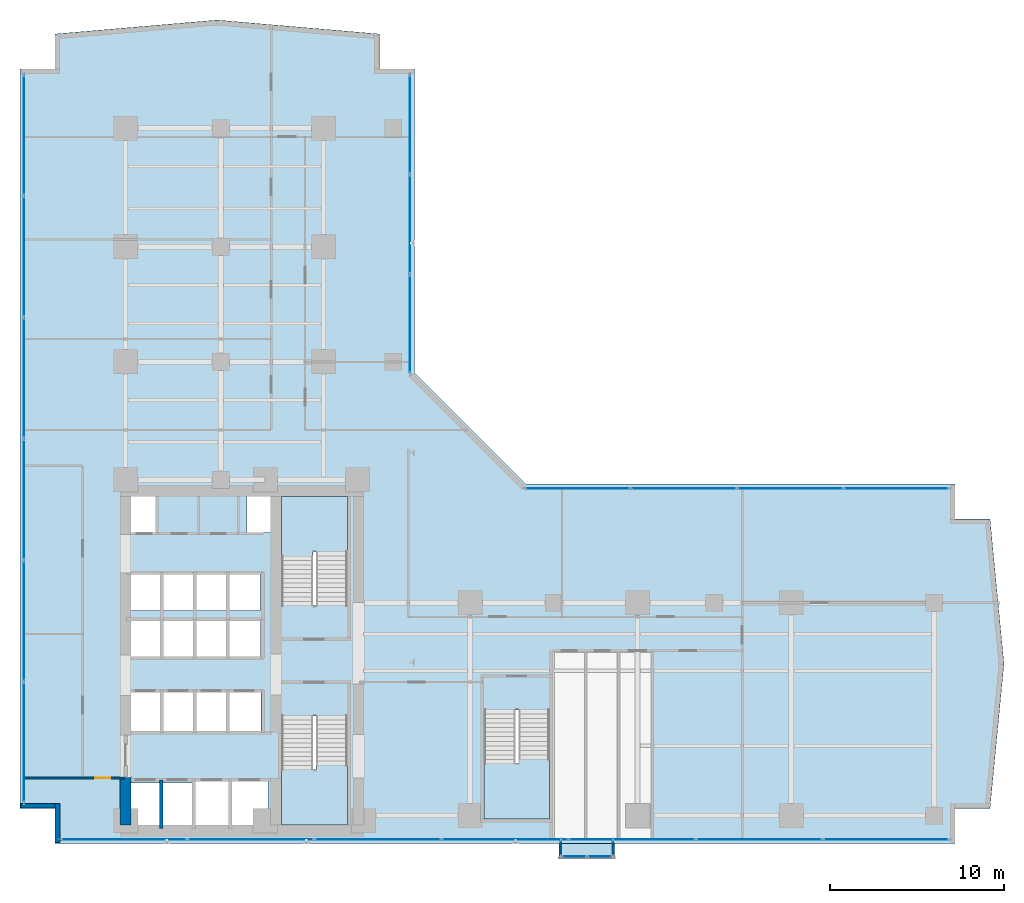
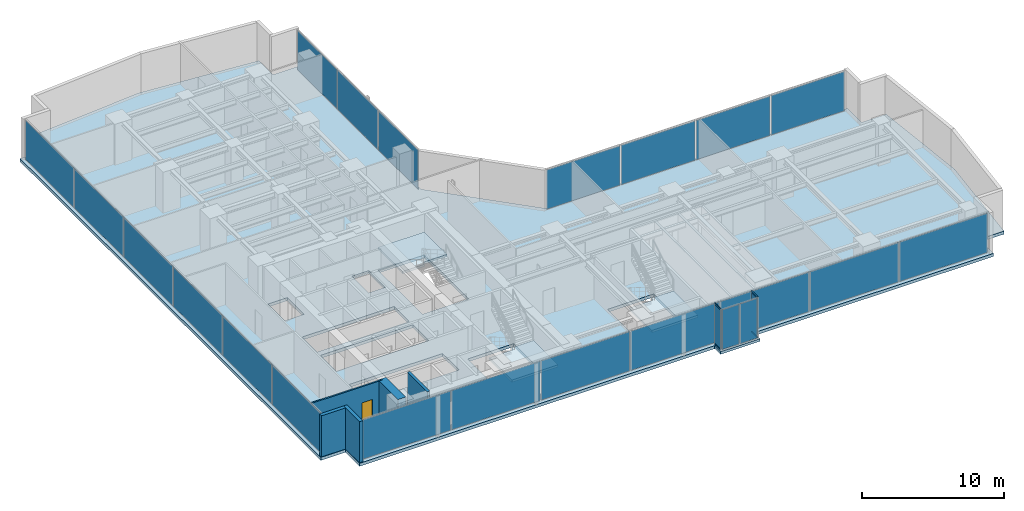
# One storey, part 20 of 26: 24 plates, 5 slabs, 5 walls, 4 members, 1 door, 1 opening, 10 elements without a shape of their own.
"""IFC4 building model written with IfcOpenShell, lengths in metres."""

import ifcopenshell
import ifcopenshell.guid

model = None  # the IFC model being written
_history = None  # IfcOwnerHistory: only IFC2X3 demands one
_inside = {}  # id of a spatial element -> (the spatial element, [elements in it])
_under = {}  # id of a project, library or spatial element -> (it, [spatial elements below it])
_declared = {}  # id of a project -> (the project, [libraries it declares])
_typed = {}  # id of a type object -> (the type object, [elements of that type])
_made_of = {}  # id of a material, layer set ... -> (it, [elements and type objects made of it])


def new_model(schema):
    """Start an empty IFC model of exactly this schema.

    Asked for "IFC4X3", IfcOpenShell would pick the latest addendum, in which some entities
    have other attributes; the version numbers below select the first issue.
    IFC2X3 requires an IfcOwnerHistory on every rooted entity: one is made here for all.
    """
    global model, _history
    if schema == "IFC4X3":
        model = ifcopenshell.file(schema_version=(4, 3, 0, 0))
    else:
        model = ifcopenshell.file(schema=schema)
    _inside.clear()
    _under.clear()
    _declared.clear()
    _typed.clear()
    _made_of.clear()
    _history = None
    if model.schema == "IFC2X3":
        org = make("IfcOrganization", Name="unknown")
        user = make(
            "IfcPersonAndOrganization",
            ThePerson=make("IfcPerson", FamilyName="unknown"),
            TheOrganization=org,
        )
        app = make(
            "IfcApplication",
            ApplicationDeveloper=org,
            Version="unknown",
            ApplicationFullName="unknown",
            ApplicationIdentifier="unknown",
        )
        _history = make(
            "IfcOwnerHistory",
            OwningUser=user,
            OwningApplication=app,
            ChangeAction="ADDED",
            CreationDate=0,
        )
    return model


def make(cls, **values):
    """One entity of the class cls with the attributes given. An attribute that is None is left unset."""
    return model.create_entity(
        cls, **{name: value for name, value in values.items() if value is not None}
    )


def rooted(cls, **values):
    """An entity with a GlobalId (a new one), such as an element, a storey or a relation."""
    return make(cls, GlobalId=ifcopenshell.guid.new(), OwnerHistory=_history, **values)


def si_unit(unit_type, name, prefix=None):
    """IfcSIUnit, for example si_unit("LENGTHUNIT", "METRE", prefix="MILLI")."""
    return make("IfcSIUnit", UnitType=unit_type, Prefix=prefix, Name=name)


def assignment(units):
    """IfcUnitAssignment: the units of a project."""
    return None if units is None else make("IfcUnitAssignment", Units=units)


def point(xyz):
    """IfcCartesianPoint."""
    return None if xyz is None else make("IfcCartesianPoint", Coordinates=xyz)


def direction(xyz):
    """IfcDirection."""
    return None if xyz is None else make("IfcDirection", DirectionRatios=xyz)


def frame(location, z_axis=None, x_axis=None):
    """IfcAxis2Placement3D, a coordinate frame: its origin and axes. An axis left out is left unset."""
    return make(
        "IfcAxis2Placement3D",
        Location=point(location),
        Axis=direction(z_axis),
        RefDirection=direction(x_axis),
    )


def frame_2d(location, x_axis=None):
    """IfcAxis2Placement2D, a coordinate frame in the plane: its origin and x axis."""
    return make(
        "IfcAxis2Placement2D", Location=point(location), RefDirection=direction(x_axis)
    )


def origin():
    """The frame at (0, 0, 0) with its axes left unset."""
    return frame((0.0, 0.0, 0.0))


def origin_with_axes():
    """The frame at (0, 0, 0) with the z axis (0, 0, 1) and the x axis (1, 0, 0) written out."""
    return frame((0.0, 0.0, 0.0), z_axis=(0.0, 0.0, 1.0), x_axis=(1.0, 0.0, 0.0))


def origin_2d():
    """The frame at (0, 0) in the plane with its x axis left unset."""
    return frame_2d((0.0, 0.0))


def place(relative_to, where):
    """IfcLocalPlacement: puts the frame where relative to a parent placement (None: the world)."""
    return make(
        "IfcLocalPlacement", PlacementRelTo=relative_to, RelativePlacement=where
    )


def context(
    kind, dimensions, precision=None, world=None, true_north=None, identifier=None
):
    """IfcGeometricRepresentationContext, for example the 3D "Model" context."""
    return make(
        "IfcGeometricRepresentationContext",
        ContextIdentifier=identifier,
        ContextType=kind,
        CoordinateSpaceDimension=dimensions,
        Precision=precision,
        WorldCoordinateSystem=world,
        TrueNorth=true_north,
    )


def subcontext(parent, identifier, kind, view, scale=None):
    """IfcGeometricRepresentationSubContext, for example "Body" below "Model"."""
    return make(
        "IfcGeometricRepresentationSubContext",
        ContextIdentifier=identifier,
        ContextType=kind,
        ParentContext=parent,
        TargetScale=scale,
        TargetView=view,
    )


def project(units=None, contexts=None):
    """IfcProject with its units and contexts."""
    return rooted(
        "IfcProject",
        Name="project",
        RepresentationContexts=contexts,
        UnitsInContext=assignment(units),
    )


def spatial(cls, under=None, at=None, **own):
    """A site, building, storey or space (cls), placed at a placement, below another one or the project."""
    s = rooted(cls, ObjectPlacement=at, **own)
    if under is not None:
        _under.setdefault(under.id(), (under, []))[1].append(s)
    return s


def polyline(points):
    """IfcPolyline through the points."""
    return make("IfcPolyline", Points=[point(p) for p in points])


def profile(cls, at=None, kind="AREA", **sizes):
    """A parametric profile (cls). Its sizes go by their IFC names, for example OverallWidth=200.0."""
    return make(cls, ProfileType=kind, Position=at, **sizes)


def rectangle(**sizes):
    """IfcRectangleProfileDef."""
    return profile("IfcRectangleProfileDef", **sizes)


def hollow_rectangle(**sizes):
    """IfcRectangleHollowProfileDef."""
    return profile("IfcRectangleHollowProfileDef", **sizes)


def outline(outer, holes=None, kind="AREA"):
    """IfcArbitraryClosedProfileDef: a profile drawn as a closed curve; with holes, ...WithVoids."""
    if holes is None:
        return make("IfcArbitraryClosedProfileDef", ProfileType=kind, OuterCurve=outer)
    return make(
        "IfcArbitraryProfileDefWithVoids",
        ProfileType=kind,
        OuterCurve=outer,
        InnerCurves=holes,
    )


def extrude(swept, where, along, depth):
    """IfcExtrudedAreaSolid: the profile swept, set in the frame where, extruded along a direction by depth."""
    return make(
        "IfcExtrudedAreaSolid",
        SweptArea=swept,
        Position=where,
        ExtrudedDirection=direction(along),
        Depth=depth,
    )


def shape(context_of_items, identifier, shape_type, items):
    """IfcShapeRepresentation: the items that make up one representation, for example the "Body"."""
    return make(
        "IfcShapeRepresentation",
        ContextOfItems=context_of_items,
        RepresentationIdentifier=identifier,
        RepresentationType=shape_type,
        Items=items,
    )


def source(mapping_origin, context_of_items, identifier, shape_type, items):
    """IfcRepresentationMap: a shape defined once, which mapped items show again and again."""
    return make(
        "IfcRepresentationMap",
        MappingOrigin=mapping_origin,
        MappedRepresentation=shape(context_of_items, identifier, shape_type, items),
    )


def transform(
    local_origin,
    x_axis=None,
    y_axis=None,
    z_axis=None,
    scale=None,
    scale2=None,
    scale3=None,
    uniform=True,
):
    """IfcCartesianTransformationOperator3D, or its non-uniform kind. x_axis, y_axis, z_axis: its Axis1, 2, 3."""
    if uniform:
        return make(
            "IfcCartesianTransformationOperator3D",
            Axis1=direction(x_axis),
            Axis2=direction(y_axis),
            LocalOrigin=point(local_origin),
            Scale=scale,
            Axis3=direction(z_axis),
        )
    return make(
        "IfcCartesianTransformationOperator3DnonUniform",
        Axis1=direction(x_axis),
        Axis2=direction(y_axis),
        LocalOrigin=point(local_origin),
        Scale=scale,
        Axis3=direction(z_axis),
        Scale2=scale2,
        Scale3=scale3,
    )


def mapped(mapping_source, mapping_target):
    """IfcMappedItem: shows the shape of a source again, moved by a transform."""
    return make(
        "IfcMappedItem", MappingSource=mapping_source, MappingTarget=mapping_target
    )


def material(Name=None, Category=None):
    """IfcMaterial."""
    return make("IfcMaterial", Name=Name, Category=Category)


def layer(
    of_material, thickness, ventilated=None, Name=None, Category=None, Priority=None
):
    """IfcMaterialLayer: one layer of a wall or slab, of a material (None: an air gap)."""
    return make(
        "IfcMaterialLayer",
        Material=of_material,
        LayerThickness=thickness,
        IsVentilated=ventilated,
        Name=Name,
        Category=Category,
        Priority=Priority,
    )


def layer_set(layers, Name=None):
    """IfcMaterialLayerSet."""
    return make("IfcMaterialLayerSet", MaterialLayers=layers, LayerSetName=Name)


def material_profile(
    of_material, cross_section, Name=None, Category=None, Priority=None
):
    """IfcMaterialProfile: a cross section and its material."""
    return make(
        "IfcMaterialProfile",
        Name=Name,
        Material=of_material,
        Profile=cross_section,
        Priority=Priority,
        Category=Category,
    )


def profile_set(profiles, Name=None, composite=None):
    """IfcMaterialProfileSet."""
    return make(
        "IfcMaterialProfileSet",
        Name=Name,
        MaterialProfiles=profiles,
        CompositeProfile=composite,
    )


def made_of(thing, what):
    """Note that an element or type object is made of a material, layer set ...; save() writes the relation."""
    if what is not None:
        _made_of.setdefault(what.id(), (what, []))[1].append(thing)
    return thing


def type_object(cls, material=None, **own):
    """A type object (cls), such as IfcWallType, which elements share."""
    return made_of(rooted(cls, **own), material)


def element(
    cls,
    number,
    at=None,
    inside=None,
    cuts=None,
    type_object=None,
    material=None,
    context=None,
    identifier="Body",
    shape_type=None,
    held_by="IfcProductDefinitionShape",
    body=None,
    shapes=None,
    **own,
):
    """One element of the class cls, such as IfcWall. Its Tag is "e" and its number.

    at: its placement. inside: the storey or other place that contains it. cuts: it is an
    opening in that element (IfcRelVoidsElement). A single representation is given by context,
    identifier, shape_type and body (its items); several are given by shapes. held_by: the class
    of the entity that holds the representations. save() writes the other relations.
    """
    e = rooted(cls, Tag="e%d" % number, ObjectPlacement=at, **own)
    if body is not None:
        shapes = [shape(context, identifier, shape_type, body)]
    if shapes is not None:
        e.Representation = make(held_by, Representations=shapes)
    if inside is not None:
        _inside.setdefault(inside.id(), (inside, []))[1].append(e)
    if cuts is not None:
        rooted(
            "IfcRelVoidsElement", RelatingBuildingElement=cuts, RelatedOpeningElement=e
        )
    if type_object is not None:
        _typed.setdefault(type_object.id(), (type_object, []))[1].append(e)
    return made_of(e, material)


def fill(opening, filler):
    """IfcRelFillsElement: the door or window that sits in an opening."""
    return rooted(
        "IfcRelFillsElement",
        RelatingOpeningElement=opening,
        RelatedBuildingElement=filler,
    )


def aggregate(whole, parts):
    """IfcRelAggregates: a whole, such as a stair, and the parts it consists of."""
    return rooted("IfcRelAggregates", RelatingObject=whole, RelatedObjects=parts)


def save(model, path):
    """Write the relations noted so far, then the file.

    IfcRelAggregates (storeys below a building ...), IfcRelContainedInSpatialStructure (elements
    in a storey), IfcRelDefinesByType, IfcRelAssociatesMaterial and IfcRelDeclares: one each for
    every whole, place, type object, material and project.
    """
    for whole, parts in _under.values():
        aggregate(whole, parts)
    for where, things in _inside.values():
        rooted(
            "IfcRelContainedInSpatialStructure",
            RelatedElements=things,
            RelatingStructure=where,
        )
    for kind, things in _typed.values():
        rooted("IfcRelDefinesByType", RelatedObjects=things, RelatingType=kind)
    for what, things in _made_of.values():
        rooted("IfcRelAssociatesMaterial", RelatedObjects=things, RelatingMaterial=what)
    for by, libraries in _declared.values():
        rooted("IfcRelDeclares", RelatingContext=by, RelatedDefinitions=libraries)
    model.write(path)


model = new_model("IFC4")

# Units and contexts
model_context = context("Model", 3, precision=1e-05, world=origin(), true_north=direction((0.0, 1.0)))
body_context = subcontext(model_context, "Body", "Model", "MODEL_VIEW")
ifc_project = project(units=[si_unit("LENGTHUNIT", "METRE"), si_unit("AREAUNIT", "SQUARE_METRE"), si_unit("VOLUMEUNIT", "CUBIC_METRE"), si_unit("PLANEANGLEUNIT", "RADIAN"), si_unit("MASSUNIT", "GRAM", prefix="KILO")], contexts=[model_context])

# Site, building, storey
site_placement = place(None, origin())
site = spatial("IfcSite", under=ifc_project, at=site_placement, CompositionType="ELEMENT")
building_placement = place(site_placement, origin())
building = spatial("IfcBuilding", under=site, at=building_placement, Name="Kolvaren Waterfront Exchange", CompositionType="ELEMENT")
storey_placement = place(building_placement, frame((0.0, 0.0, 99.300048828125)))
storey = spatial("IfcBuildingStorey", under=building, at=storey_placement, Name="L25", CompositionType="ELEMENT", Elevation=99.300048828125)

# Curtain wall, members
ifc_material_1 = material(Name="Anodised bronze aluminium 6063-T6", Category="aluminium")
ifc_layer_1 = layer(ifc_material_1, 0.219970703125, Name="Anodised bronze aluminium 6063-T6")
ifc_layer_set_1 = layer_set([ifc_layer_1], Name="Anodised bronze aluminium 6063-T6")
curtain_wall_type_1 = type_object("IfcCurtainWallType", Name="ARC-CW-SYS3", PredefinedType="USERDEFINED", material=ifc_layer_set_1)
curtain_wall_1_placement = place(storey_placement, origin())
curtain_wall_1 = element("IfcCurtainWall", 1, at=curtain_wall_1_placement, inside=storey, type_object=curtain_wall_type_1, Name="L25 stick curtain wall CW3 (CW-L25-BOX-W)", ObjectType="STICK CURTAIN WALL", PredefinedType="USERDEFINED")
ifc_material_profile = material_profile(ifc_material_1, hollow_rectangle(XDim=0.06494140625, YDim=0.1298828125, WallThickness=0.00390625, at=origin_2d()), Name="ALU-TRN-130x65x4")
ifc_profile_set = profile_set([ifc_material_profile], Name="Anodised bronze aluminium 6063-T6")
member_type = type_object("IfcMemberType", Name="ARC-CWT-130", PredefinedType="USERDEFINED", material=ifc_profile_set)
shared_shape_1 = source(origin_with_axes(), body_context, "Body", "SweptSolid", [
    extrude(hollow_rectangle(XDim=0.06494140625, YDim=0.1298828125, WallThickness=0.00390625, at=origin_2d()), origin(), (0.0, 0.0, 1.0), 0.829833984375),
])
member_1_placement = place(storey_placement, frame((32.409912109375, 3.764892578125, 0.032470703125), z_axis=(0.0, -1.0, 0.0), x_axis=(1.0, 0.0, 0.0)))
member_1 = element("IfcMember", 2, at=member_1_placement, type_object=member_type, Name="CW3 transom 1.1", ObjectType="TRANSOM", PredefinedType="USERDEFINED", context=body_context, shape_type="MappedRepresentation", body=[
    mapped(shared_shape_1, transform((0.0, 0.0, 0.0), x_axis=(1.0, 0.0, 0.0), y_axis=(0.0, 1.0, 0.0), z_axis=(0.0, 0.0, 1.0), scale=1.0)),
])
member_2_placement = place(storey_placement, frame((32.409912109375, 3.764892578125, 3.507568359375), z_axis=(0.0, -1.0, 0.0), x_axis=(1.0, 0.0, 0.0)))
member_2 = element("IfcMember", 3, at=member_2_placement, type_object=member_type, Name="CW3 transom 1.2", ObjectType="TRANSOM", PredefinedType="USERDEFINED", context=body_context, shape_type="MappedRepresentation", body=[
    mapped(shared_shape_1, transform((0.0, 0.0, 0.0), x_axis=(1.0, 0.0, 0.0), y_axis=(0.0, 1.0, 0.0), z_axis=(0.0, 0.0, 1.0), scale=1.0)),
])

curtain_wall_2_placement = place(storey_placement, origin())
curtain_wall_2 = element("IfcCurtainWall", 4, at=curtain_wall_2_placement, inside=storey, type_object=curtain_wall_type_1, Name="L25 stick curtain wall CW3 (CW-L25-BOX-E)", ObjectType="STICK CURTAIN WALL", PredefinedType="USERDEFINED")
member_3_placement = place(storey_placement, frame((35.389892578125, 2.93505859375, 0.032470703125), z_axis=(0.0, 1.0, 0.0), x_axis=(-1.0, 0.0, 0.0)))
member_3 = element("IfcMember", 5, at=member_3_placement, type_object=member_type, Name="CW3 transom 1.1", ObjectType="TRANSOM", PredefinedType="USERDEFINED", context=body_context, shape_type="MappedRepresentation", body=[
    mapped(shared_shape_1, transform((0.0, 0.0, 0.0), x_axis=(1.0, 0.0, 0.0), y_axis=(0.0, 1.0, 0.0), z_axis=(0.0, 0.0, 1.0), scale=1.0)),
])
member_4_placement = place(storey_placement, frame((35.389892578125, 2.93505859375, 3.507568359375), z_axis=(0.0, 1.0, 0.0), x_axis=(-1.0, 0.0, 0.0)))
member_4 = element("IfcMember", 6, at=member_4_placement, type_object=member_type, Name="CW3 transom 1.2", ObjectType="TRANSOM", PredefinedType="USERDEFINED", context=body_context, shape_type="MappedRepresentation", body=[
    mapped(shared_shape_1, transform((0.0, 0.0, 0.0), x_axis=(1.0, 0.0, 0.0), y_axis=(0.0, 1.0, 0.0), z_axis=(0.0, 0.0, 1.0), scale=1.0)),
])

# Stair, slab
ifc_material_2 = material(Name="Concrete C40/50", Category="concrete")
stair_type = type_object("IfcStairType", Name="ARC-STAIR-3800", PredefinedType="HALF_TURN_STAIR", material=ifc_material_2)
stair_1_placement = place(storey_placement, origin())
stair_1 = element("IfcStair", 7, at=stair_1_placement, inside=storey, type_object=stair_type, Name="L25 Smoke-proof exit stair ST1", PredefinedType="HALF_TURN_STAIR")
ifc_layer_2 = layer(ifc_material_2, 0.199951171875, Name="Concrete C40/50")
ifc_layer_set_2 = layer_set([ifc_layer_2], Name="Concrete C40/50")
slab_type_1 = type_object("IfcSlabType", Name="STR-LANDING-200", PredefinedType="LANDING", material=ifc_layer_set_2)
slab_1_placement = place(storey_placement, frame((0.0, 0.0, 1.77587890625)))
slab_1 = element("IfcSlab", 8, at=slab_1_placement, type_object=slab_type_1, Name="ST1 landing 1", PredefinedType="LANDING", context=body_context, shape_type="SweptSolid", body=[
    extrude(outline(polyline([(16.39990234375, 7.840087890625), (16.39990234375, 4.64990234375), (20.159912109375, 4.64990234375), (20.159912109375, 8.10009765625), (18.360107421875, 8.10009765625), (18.360107421875, 7.840087890625), (16.39990234375, 7.840087890625)])), origin(), (0.0, 0.0, 1.0), 0.199951171875),
])
aggregate(stair_1, [slab_1])

stair_2_placement = place(storey_placement, origin())
stair_2 = element("IfcStair", 9, at=stair_2_placement, inside=storey, type_object=stair_type, Name="L25 Smoke-proof exit stair ST2", PredefinedType="HALF_TURN_STAIR")
slab_2_placement = place(storey_placement, frame((0.0, 0.0, 1.77587890625)))
slab_2 = element("IfcSlab", 10, at=slab_2_placement, type_object=slab_type_1, Name="ST2 landing 1", PredefinedType="LANDING", context=body_context, shape_type="SweptSolid", body=[
    extrude(outline(polyline([(20.159912109375, 20.31005859375), (20.159912109375, 23.5), (16.39990234375, 23.5), (16.39990234375, 20.050048828125), (18.199951171875, 20.050048828125), (18.199951171875, 20.31005859375), (20.159912109375, 20.31005859375)])), origin(), (0.0, 0.0, 1.0), 0.199951171875),
])
aggregate(stair_2, [slab_2])

stair_3_placement = place(storey_placement, origin())
stair_3 = element("IfcStair", 11, at=stair_3_placement, inside=storey, type_object=stair_type, Name="L25 Exit stair ST3", PredefinedType="HALF_TURN_STAIR")
slab_3_placement = place(storey_placement, frame((0.0, 0.0, 1.77587890625)))
slab_3 = element("IfcSlab", 12, at=slab_3_placement, type_object=slab_type_1, Name="ST3 landing 1", PredefinedType="LANDING", context=body_context, shape_type="SweptSolid", body=[
    extrude(outline(polyline([(28.0, 8.18994140625), (28.0, 5.0), (31.760009765625, 5.0), (31.760009765625, 8.449951171875), (29.9599609375, 8.449951171875), (29.9599609375, 8.18994140625), (28.0, 8.18994140625)])), origin(), (0.0, 0.0, 1.0), 0.199951171875),
])
aggregate(stair_3, [slab_3])

# Slabs
ifc_layer_3 = layer(ifc_material_2, 0.260009765625, Name="Concrete C40/50")
ifc_layer_set_3 = layer_set([ifc_layer_3], Name="Concrete C40/50")
slab_type_2 = type_object("IfcSlabType", Name="STR-SLAB-260", PredefinedType="FLOOR", material=ifc_layer_set_3)
slab_4_placement = place(storey_placement, frame((0.0, 0.0, -0.260009765625)))
element("IfcSlab", 13, at=slab_4_placement, inside=storey, type_object=slab_type_2, Name="L25 structural floor slab", PredefinedType="FLOOR", context=body_context, shape_type="SweptSolid", body=[
    extrude(outline(polyline([(3.39990234375, 3.60009765625), (55.0, 3.60009765625), (55.0, 5.60009765625), (57.0, 5.60009765625), (57.800048828125, 13.89990234375), (57.0, 22.199951171875), (55.0, 22.199951171875), (55.0, 24.199951171875), (30.39990234375, 24.199951171875), (24.0, 30.60009765625), (24.0, 48.0), (22.0, 48.0), (22.0, 50.0), (12.699951171875, 50.800048828125), (3.39990234375, 50.0), (3.39990234375, 48.0), (1.39990234375, 48.0), (1.39990234375, 5.60009765625), (3.39990234375, 5.60009765625), (3.39990234375, 3.60009765625)]), holes=[polyline([(11.320068359375, 7.260009765625), (15.610107421875, 7.260009765625), (15.610107421875, 4.5400390625), (7.719970703125, 4.5400390625), (7.719970703125, 7.06005859375), (11.320068359375, 7.06005859375), (11.320068359375, 7.260009765625)]), polyline([(20.159912109375, 4.64990234375), (16.39990234375, 4.64990234375), (16.39990234375, 10.89990234375), (20.159912109375, 10.89990234375), (20.159912109375, 4.64990234375)]), polyline([(31.760009765625, 5.0), (28.0, 5.0), (28.0, 11.25), (31.760009765625, 11.25), (31.760009765625, 5.0)]), polyline([(15.2099609375, 10.0400390625), (7.6201171875, 10.0400390625), (7.6201171875, 12.360107421875), (15.2099609375, 12.360107421875), (15.2099609375, 10.0400390625)]), polyline([(7.64501953125, 16.4599609375), (15.18505859375, 16.4599609375), (15.18505859375, 14.239990234375), (7.64501953125, 14.239990234375), (7.64501953125, 16.4599609375)]), polyline([(15.159912109375, 16.93994140625), (7.669921875, 16.93994140625), (7.669921875, 19.06005859375), (15.159912109375, 19.06005859375), (15.159912109375, 16.93994140625)]), polyline([(16.39990234375, 23.5), (20.159912109375, 23.5), (20.159912109375, 17.25), (16.39990234375, 17.25), (16.39990234375, 23.5)]), polyline([(7.60009765625, 23.780029296875), (9.179931640625, 23.780029296875), (9.179931640625, 21.419921875), (7.60009765625, 21.419921875), (7.60009765625, 23.780029296875)]), polyline([(15.800048828125, 23.780029296875), (15.800048828125, 21.419921875), (14.419921875, 21.419921875), (14.419921875, 23.780029296875), (15.800048828125, 23.780029296875)])]), origin(), (0.0, 0.0, 1.0), 0.260009765625),
])
ifc_layer_4 = layer(ifc_material_2, 0.219970703125, Name="Concrete C40/50")
ifc_layer_set_4 = layer_set([ifc_layer_4], Name="Concrete C40/50")
slab_type_3 = type_object("IfcSlabType", Name="STR-TERR-220", PredefinedType="FLOOR", material=ifc_layer_set_4)
slab_5_placement = place(storey_placement, frame((0.0, 0.0, -0.219970703125)))
element("IfcSlab", 14, at=slab_5_placement, inside=storey, type_object=slab_type_3, Name="L25 projecting bay-box floor strip", PredefinedType="FLOOR", context=body_context, shape_type="SweptSolid", body=[
    extrude(outline(polyline([(32.300048828125, 2.75), (35.5, 2.75), (35.5, 3.60009765625), (32.300048828125, 3.60009765625), (32.300048828125, 2.75)])), origin(), (0.0, 0.0, 1.0), 0.219970703125),
])

# Plate
ifc_material_3 = material(Name="Bronze tinted bay-box vision glass", Category="aluminium")
ifc_layer_5 = layer(ifc_material_3, 0.02392578125, Name="Bronze tinted bay-box vision glass")
ifc_layer_set_5 = layer_set([ifc_layer_5], Name="Bronze tinted bay-box vision glass")
plate_type_1 = type_object("IfcPlateType", Name="ARC-CWP-24", PredefinedType="CURTAIN_PANEL", material=ifc_layer_set_5)
shared_shape_2 = source(origin_with_axes(), body_context, "Body", "SweptSolid", [
    extrude(rectangle(XDim=0.830078125, YDim=0.02392578125, at=origin_2d()), origin(), (0.0, 0.0, 1.0), 3.409912109375),
])
plate_1_placement = place(storey_placement, frame((32.409912109375, 3.35009765625, 0.06494140625), z_axis=(0.0, 0.0, 1.0), x_axis=(0.0, -1.0, 0.0)))
plate_1 = element("IfcPlate", 15, at=plate_1_placement, type_object=plate_type_1, Name="CW3 panel 1.1", PredefinedType="CURTAIN_PANEL", context=body_context, shape_type="MappedRepresentation", body=[
    mapped(shared_shape_2, transform((0.0, 0.0, 0.0), x_axis=(1.0, 0.0, 0.0), y_axis=(0.0, 1.0, 0.0), z_axis=(0.0, 0.0, 1.0), scale=1.0)),
])

aggregate(curtain_wall_1, [member_1, member_2, plate_1])

plate_2_placement = place(storey_placement, frame((35.389892578125, 3.35009765625, 0.06494140625), z_axis=(0.0, 0.0, 1.0), x_axis=(0.0, 1.0, 0.0)))
plate_2 = element("IfcPlate", 16, at=plate_2_placement, type_object=plate_type_1, Name="CW3 panel 1.1", PredefinedType="CURTAIN_PANEL", context=body_context, shape_type="MappedRepresentation", body=[
    mapped(shared_shape_2, transform((0.0, 0.0, 0.0), x_axis=(1.0, 0.0, 0.0), y_axis=(0.0, 1.0, 0.0), z_axis=(0.0, 0.0, 1.0), scale=1.0)),
])

aggregate(curtain_wall_2, [member_3, member_4, plate_2])

# Curtain wall, plates
curtain_wall_3_placement = place(storey_placement, origin())
curtain_wall_3 = element("IfcCurtainWall", 17, at=curtain_wall_3_placement, inside=storey, type_object=curtain_wall_type_1, Name="L25 stick curtain wall CW3 (CW-L25-BOX)", ObjectType="STICK CURTAIN WALL", PredefinedType="USERDEFINED")
shared_shape_3 = source(origin_with_axes(), body_context, "Body", "SweptSolid", [
    extrude(rectangle(XDim=1.37744140625, YDim=0.02392578125, at=origin_2d()), origin(), (0.0, 0.0, 1.0), 3.409912109375),
])
plate_3_placement = place(storey_placement, frame((33.173828125, 2.860107421875, 0.06494140625), z_axis=(0.0, 0.0, 1.0), x_axis=(1.0, 0.0, 0.0)))
plate_3 = element("IfcPlate", 18, at=plate_3_placement, type_object=plate_type_1, Name="CW3 panel 1.1", PredefinedType="CURTAIN_PANEL", context=body_context, shape_type="MappedRepresentation", body=[
    mapped(shared_shape_3, transform((0.0, 0.0, 0.0), x_axis=(1.0, 0.0, 0.0), y_axis=(0.0, 1.0, 0.0), z_axis=(0.0, 0.0, 1.0), scale=1.0)),
])
plate_4_placement = place(storey_placement, frame((34.626220703125, 2.860107421875, 0.06494140625), z_axis=(0.0, 0.0, 1.0), x_axis=(1.0, 0.0, 0.0)))
plate_4 = element("IfcPlate", 19, at=plate_4_placement, type_object=plate_type_1, Name="CW3 panel 2.1", PredefinedType="CURTAIN_PANEL", context=body_context, shape_type="MappedRepresentation", body=[
    mapped(shared_shape_3, transform((0.0, 0.0, 0.0), x_axis=(1.0, 0.0, 0.0), y_axis=(0.0, 1.0, 0.0), z_axis=(0.0, 0.0, 1.0), scale=1.0)),
])
aggregate(curtain_wall_3, [plate_3, plate_4])

ifc_material_4 = material(Name="Anodised aluminium 6063-T6", Category="aluminium")
ifc_layer_6 = layer(ifc_material_4, 0.219970703125, Name="Anodised aluminium 6063-T6")
ifc_layer_set_6 = layer_set([ifc_layer_6], Name="Anodised aluminium 6063-T6")
curtain_wall_type_2 = type_object("IfcCurtainWallType", Name="ARC-CW-SYS2", PredefinedType="USERDEFINED", material=ifc_layer_set_6)
curtain_wall_4_placement = place(storey_placement, origin())
curtain_wall_4 = element("IfcCurtainWall", 20, at=curtain_wall_4_placement, inside=storey, type_object=curtain_wall_type_2, Name="L25 stick curtain wall CW2 (CW-L25-W)", ObjectType="STICK CURTAIN WALL", PredefinedType="USERDEFINED")
ifc_material_5 = material(Name="Acoustic laminated vision glass", Category="glass")
ifc_layer_7 = layer(ifc_material_5, 0.031982421875, Name="Acoustic laminated vision glass")
ifc_layer_set_7 = layer_set([ifc_layer_7], Name="Acoustic laminated vision glass")
plate_type_2 = type_object("IfcPlateType", Name="ARC-CWP-32", PredefinedType="CURTAIN_PANEL", material=ifc_layer_set_7)
shared_shape_4 = source(origin_with_axes(), body_context, "Body", "SweptSolid", [
    extrude(rectangle(XDim=6.8466796875, YDim=0.031982421875, at=origin_2d()), origin(), (0.0, 0.0, 1.0), 3.389892578125),
])
plate_5_placement = place(storey_placement, frame((1.639892578125, 9.4033203125, 0.0751953125), z_axis=(0.0, 0.0, 1.0), x_axis=(0.0, 1.0, 0.0)))
plate_5 = element("IfcPlate", 21, at=plate_5_placement, type_object=plate_type_2, Name="CW2 panel 1.1", PredefinedType="CURTAIN_PANEL", context=body_context, shape_type="MappedRepresentation", body=[
    mapped(shared_shape_4, transform((0.0, 0.0, 0.0), x_axis=(1.0, 0.0, 0.0), y_axis=(0.0, 1.0, 0.0), z_axis=(0.0, 0.0, 1.0), scale=1.0)),
])
plate_6_placement = place(storey_placement, frame((1.639892578125, 44.19677734375, 0.0751953125), z_axis=(0.0, 0.0, 1.0), x_axis=(0.0, 1.0, 0.0)))
plate_6 = element("IfcPlate", 22, at=plate_6_placement, type_object=plate_type_2, Name="CW2 panel 6.1", PredefinedType="CURTAIN_PANEL", context=body_context, shape_type="MappedRepresentation", body=[
    mapped(shared_shape_4, transform((0.0, 0.0, 0.0), x_axis=(1.0, 0.0, 0.0), y_axis=(0.0, 1.0, 0.0), z_axis=(0.0, 0.0, 1.0), scale=1.0)),
])
shared_shape_5 = source(origin_with_axes(), body_context, "Body", "SweptSolid", [
    extrude(rectangle(XDim=6.88671875, YDim=0.031982421875, at=origin_2d()), origin(), (0.0, 0.0, 1.0), 3.389892578125),
])
plate_7_placement = place(storey_placement, frame((1.639892578125, 16.35009765625, 0.0751953125), z_axis=(0.0, 0.0, 1.0), x_axis=(0.0, 1.0, 0.0)))
plate_7 = element("IfcPlate", 23, at=plate_7_placement, type_object=plate_type_2, Name="CW2 panel 2.1", PredefinedType="CURTAIN_PANEL", context=body_context, shape_type="MappedRepresentation", body=[
    mapped(shared_shape_5, transform((0.0, 0.0, 0.0), x_axis=(1.0, 0.0, 0.0), y_axis=(0.0, 1.0, 0.0), z_axis=(0.0, 0.0, 1.0), scale=1.0)),
])
plate_8_placement = place(storey_placement, frame((1.639892578125, 23.316650390625, 0.0751953125), z_axis=(0.0, 0.0, 1.0), x_axis=(0.0, 1.0, 0.0)))
plate_8 = element("IfcPlate", 24, at=plate_8_placement, type_object=plate_type_2, Name="CW2 panel 3.1", PredefinedType="CURTAIN_PANEL", context=body_context, shape_type="MappedRepresentation", body=[
    mapped(shared_shape_5, transform((0.0, 0.0, 0.0), x_axis=(1.0, 0.0, 0.0), y_axis=(0.0, 1.0, 0.0), z_axis=(0.0, 0.0, 1.0), scale=1.0)),
])
plate_9_placement = place(storey_placement, frame((1.639892578125, 30.283447265625, 0.0751953125), z_axis=(0.0, 0.0, 1.0), x_axis=(0.0, 1.0, 0.0)))
plate_9 = element("IfcPlate", 25, at=plate_9_placement, type_object=plate_type_2, Name="CW2 panel 4.1", PredefinedType="CURTAIN_PANEL", context=body_context, shape_type="MappedRepresentation", body=[
    mapped(shared_shape_5, transform((0.0, 0.0, 0.0), x_axis=(1.0, 0.0, 0.0), y_axis=(0.0, 1.0, 0.0), z_axis=(0.0, 0.0, 1.0), scale=1.0)),
])
plate_10_placement = place(storey_placement, frame((1.639892578125, 37.25, 0.0751953125), z_axis=(0.0, 0.0, 1.0), x_axis=(0.0, 1.0, 0.0)))
plate_10 = element("IfcPlate", 26, at=plate_10_placement, type_object=plate_type_2, Name="CW2 panel 5.1", PredefinedType="CURTAIN_PANEL", context=body_context, shape_type="MappedRepresentation", body=[
    mapped(shared_shape_5, transform((0.0, 0.0, 0.0), x_axis=(1.0, 0.0, 0.0), y_axis=(0.0, 1.0, 0.0), z_axis=(0.0, 0.0, 1.0), scale=1.0)),
])
aggregate(curtain_wall_4, [plate_5, plate_7, plate_8, plate_9, plate_10, plate_6])

ifc_layer_8 = layer(ifc_material_1, 0.219970703125, Name="Anodised bronze aluminium 6063-T6")
ifc_layer_set_8 = layer_set([ifc_layer_8], Name="Anodised bronze aluminium 6063-T6")
curtain_wall_type_3 = type_object("IfcCurtainWallType", Name="ARC-CW-SYS1", PredefinedType="USERDEFINED", material=ifc_layer_set_8)
curtain_wall_5_placement = place(storey_placement, origin())
curtain_wall_5 = element("IfcCurtainWall", 27, at=curtain_wall_5_placement, inside=storey, type_object=curtain_wall_type_3, Name="L25 stick curtain wall CW1 (CW-L25-NE)", ObjectType="STICK CURTAIN WALL", PredefinedType="USERDEFINED")
ifc_material_6 = material(Name="Bronze solar control vision glass", Category="aluminium")
ifc_layer_9 = layer(ifc_material_6, 0.028076171875, Name="Bronze solar control vision glass")
ifc_layer_set_9 = layer_set([ifc_layer_9], Name="Bronze solar control vision glass")
plate_type_3 = type_object("IfcPlateType", Name="ARC-CWP-28", PredefinedType="CURTAIN_PANEL", material=ifc_layer_set_9)
shared_shape_6 = source(origin_with_axes(), body_context, "Body", "SweptSolid", [
    extrude(rectangle(XDim=5.61669921875, YDim=0.028076171875, at=origin_2d()), origin(), (0.0, 0.0, 1.0), 3.389892578125),
])
plate_11_placement = place(storey_placement, frame((23.760009765625, 33.37841796875, 0.0751953125), z_axis=(0.0, 0.0, 1.0), x_axis=(0.0, 1.0, 0.0)))
plate_11 = element("IfcPlate", 28, at=plate_11_placement, type_object=plate_type_3, Name="CW1 panel 1.1", PredefinedType="CURTAIN_PANEL", context=body_context, shape_type="MappedRepresentation", body=[
    mapped(shared_shape_6, transform((0.0, 0.0, 0.0), x_axis=(1.0, 0.0, 0.0), y_axis=(0.0, 1.0, 0.0), z_axis=(0.0, 0.0, 1.0), scale=1.0)),
])
plate_12_placement = place(storey_placement, frame((23.760009765625, 44.811767578125, 0.0751953125), z_axis=(0.0, 0.0, 1.0), x_axis=(0.0, 1.0, 0.0)))
plate_12 = element("IfcPlate", 29, at=plate_12_placement, type_object=plate_type_3, Name="CW1 panel 3.1", PredefinedType="CURTAIN_PANEL", context=body_context, shape_type="MappedRepresentation", body=[
    mapped(shared_shape_6, transform((0.0, 0.0, 0.0), x_axis=(1.0, 0.0, 0.0), y_axis=(0.0, 1.0, 0.0), z_axis=(0.0, 0.0, 1.0), scale=1.0)),
])
shared_shape_7 = source(origin_with_axes(), body_context, "Body", "SweptSolid", [
    extrude(rectangle(XDim=5.65673828125, YDim=0.028076171875, at=origin_2d()), origin(), (0.0, 0.0, 1.0), 3.389892578125),
])
plate_13_placement = place(storey_placement, frame((23.760009765625, 39.094970703125, 0.0751953125), z_axis=(0.0, 0.0, 1.0), x_axis=(0.0, 1.0, 0.0)))
plate_13 = element("IfcPlate", 30, at=plate_13_placement, type_object=plate_type_3, Name="CW1 panel 2.1", PredefinedType="CURTAIN_PANEL", context=body_context, shape_type="MappedRepresentation", body=[
    mapped(shared_shape_7, transform((0.0, 0.0, 0.0), x_axis=(1.0, 0.0, 0.0), y_axis=(0.0, 1.0, 0.0), z_axis=(0.0, 0.0, 1.0), scale=1.0)),
])
aggregate(curtain_wall_5, [plate_11, plate_13, plate_12])

curtain_wall_6_placement = place(storey_placement, origin())
curtain_wall_6 = element("IfcCurtainWall", 31, at=curtain_wall_6_placement, inside=storey, type_object=curtain_wall_type_3, Name="L25 stick curtain wall CW1 (CW-L25-EN)", ObjectType="STICK CURTAIN WALL", PredefinedType="USERDEFINED")
shared_shape_8 = source(origin_with_axes(), body_context, "Body", "SweptSolid", [
    extrude(rectangle(XDim=5.982421875, YDim=0.028076171875, at=origin_2d()), origin(), (0.0, 0.0, 1.0), 3.389892578125),
])
plate_14_placement = place(storey_placement, frame((33.361328125, 23.9599609375, 0.0751953125), z_axis=(0.0, 0.0, 1.0), x_axis=(1.0, 0.0, 0.0)))
plate_14 = element("IfcPlate", 32, at=plate_14_placement, type_object=plate_type_3, Name="CW1 panel 1.1", PredefinedType="CURTAIN_PANEL", context=body_context, shape_type="MappedRepresentation", body=[
    mapped(shared_shape_8, transform((0.0, 0.0, 0.0), x_axis=(1.0, 0.0, 0.0), y_axis=(0.0, 1.0, 0.0), z_axis=(0.0, 0.0, 1.0), scale=1.0)),
])
plate_15_placement = place(storey_placement, frame((51.628662109375, 23.9599609375, 0.0751953125), z_axis=(0.0, 0.0, 1.0), x_axis=(1.0, 0.0, 0.0)))
plate_15 = element("IfcPlate", 33, at=plate_15_placement, type_object=plate_type_3, Name="CW1 panel 4.1", PredefinedType="CURTAIN_PANEL", context=body_context, shape_type="MappedRepresentation", body=[
    mapped(shared_shape_8, transform((0.0, 0.0, 0.0), x_axis=(1.0, 0.0, 0.0), y_axis=(0.0, 1.0, 0.0), z_axis=(0.0, 0.0, 1.0), scale=1.0)),
])
shared_shape_9 = source(origin_with_axes(), body_context, "Body", "SweptSolid", [
    extrude(rectangle(XDim=6.0224609375, YDim=0.028076171875, at=origin_2d()), origin(), (0.0, 0.0, 1.0), 3.389892578125),
])
plate_16_placement = place(storey_placement, frame((39.44384765625, 23.9599609375, 0.0751953125), z_axis=(0.0, 0.0, 1.0), x_axis=(1.0, 0.0, 0.0)))
plate_16 = element("IfcPlate", 34, at=plate_16_placement, type_object=plate_type_3, Name="CW1 panel 2.1", PredefinedType="CURTAIN_PANEL", context=body_context, shape_type="MappedRepresentation", body=[
    mapped(shared_shape_9, transform((0.0, 0.0, 0.0), x_axis=(1.0, 0.0, 0.0), y_axis=(0.0, 1.0, 0.0), z_axis=(0.0, 0.0, 1.0), scale=1.0)),
])
plate_17_placement = place(storey_placement, frame((45.546142578125, 23.9599609375, 0.0751953125), z_axis=(0.0, 0.0, 1.0), x_axis=(1.0, 0.0, 0.0)))
plate_17 = element("IfcPlate", 35, at=plate_17_placement, type_object=plate_type_3, Name="CW1 panel 3.1", PredefinedType="CURTAIN_PANEL", context=body_context, shape_type="MappedRepresentation", body=[
    mapped(shared_shape_9, transform((0.0, 0.0, 0.0), x_axis=(1.0, 0.0, 0.0), y_axis=(0.0, 1.0, 0.0), z_axis=(0.0, 0.0, 1.0), scale=1.0)),
])
aggregate(curtain_wall_6, [plate_14, plate_16, plate_17, plate_15])

curtain_wall_7_placement = place(storey_placement, origin())
curtain_wall_7 = element("IfcCurtainWall", 36, at=curtain_wall_7_placement, inside=storey, type_object=curtain_wall_type_3, Name="L25 stick curtain wall CW1 (CW-L25-S)", ObjectType="STICK CURTAIN WALL", PredefinedType="USERDEFINED")
shared_shape_10 = source(origin_with_axes(), body_context, "Body", "SweptSolid", [
    extrude(rectangle(XDim=7.165771484375, YDim=0.028076171875, at=origin_2d()), origin(), (0.0, 0.0, 1.0), 3.389892578125),
])
plate_18_placement = place(storey_placement, frame((7.36279296875, 3.840087890625, 0.0751953125), z_axis=(0.0, 0.0, 1.0), x_axis=(1.0, 0.0, 0.0)))
plate_18 = element("IfcPlate", 37, at=plate_18_placement, type_object=plate_type_3, Name="CW1 panel 1.1", PredefinedType="CURTAIN_PANEL", context=body_context, shape_type="MappedRepresentation", body=[
    mapped(shared_shape_10, transform((0.0, 0.0, 0.0), x_axis=(1.0, 0.0, 0.0), y_axis=(0.0, 1.0, 0.0), z_axis=(0.0, 0.0, 1.0), scale=1.0)),
])
plate_19_placement = place(storey_placement, frame((51.037109375, 3.840087890625, 0.0751953125), z_axis=(0.0, 0.0, 1.0), x_axis=(1.0, 0.0, 0.0)))
plate_19 = element("IfcPlate", 38, at=plate_19_placement, type_object=plate_type_3, Name="CW1 panel 7.1", PredefinedType="CURTAIN_PANEL", context=body_context, shape_type="MappedRepresentation", body=[
    mapped(shared_shape_10, transform((0.0, 0.0, 0.0), x_axis=(1.0, 0.0, 0.0), y_axis=(0.0, 1.0, 0.0), z_axis=(0.0, 0.0, 1.0), scale=1.0)),
])
shared_shape_11 = source(origin_with_axes(), body_context, "Body", "SweptSolid", [
    extrude(rectangle(XDim=7.205810546875, YDim=0.028076171875, at=origin_2d()), origin(), (0.0, 0.0, 1.0), 3.389892578125),
])
plate_20_placement = place(storey_placement, frame((14.628662109375, 3.840087890625, 0.0751953125), z_axis=(0.0, 0.0, 1.0), x_axis=(1.0, 0.0, 0.0)))
plate_20 = element("IfcPlate", 39, at=plate_20_placement, type_object=plate_type_3, Name="CW1 panel 2.1", PredefinedType="CURTAIN_PANEL", context=body_context, shape_type="MappedRepresentation", body=[
    mapped(shared_shape_11, transform((0.0, 0.0, 0.0), x_axis=(1.0, 0.0, 0.0), y_axis=(0.0, 1.0, 0.0), z_axis=(0.0, 0.0, 1.0), scale=1.0)),
])
plate_21_placement = place(storey_placement, frame((21.914306640625, 3.840087890625, 0.0751953125), z_axis=(0.0, 0.0, 1.0), x_axis=(1.0, 0.0, 0.0)))
plate_21 = element("IfcPlate", 40, at=plate_21_placement, type_object=plate_type_3, Name="CW1 panel 3.1", PredefinedType="CURTAIN_PANEL", context=body_context, shape_type="MappedRepresentation", body=[
    mapped(shared_shape_11, transform((0.0, 0.0, 0.0), x_axis=(1.0, 0.0, 0.0), y_axis=(0.0, 1.0, 0.0), z_axis=(0.0, 0.0, 1.0), scale=1.0)),
])
plate_22_placement = place(storey_placement, frame((29.199951171875, 3.840087890625, 0.0751953125), z_axis=(0.0, 0.0, 1.0), x_axis=(1.0, 0.0, 0.0)))
plate_22 = element("IfcPlate", 41, at=plate_22_placement, type_object=plate_type_3, Name="CW1 panel 4.1", PredefinedType="CURTAIN_PANEL", context=body_context, shape_type="MappedRepresentation", body=[
    mapped(shared_shape_11, transform((0.0, 0.0, 0.0), x_axis=(1.0, 0.0, 0.0), y_axis=(0.0, 1.0, 0.0), z_axis=(0.0, 0.0, 1.0), scale=1.0)),
])
plate_23_placement = place(storey_placement, frame((36.485595703125, 3.840087890625, 0.0751953125), z_axis=(0.0, 0.0, 1.0), x_axis=(1.0, 0.0, 0.0)))
plate_23 = element("IfcPlate", 42, at=plate_23_placement, type_object=plate_type_3, Name="CW1 panel 5.1", PredefinedType="CURTAIN_PANEL", context=body_context, shape_type="MappedRepresentation", body=[
    mapped(shared_shape_11, transform((0.0, 0.0, 0.0), x_axis=(1.0, 0.0, 0.0), y_axis=(0.0, 1.0, 0.0), z_axis=(0.0, 0.0, 1.0), scale=1.0)),
])
plate_24_placement = place(storey_placement, frame((43.771484375, 3.840087890625, 0.0751953125), z_axis=(0.0, 0.0, 1.0), x_axis=(1.0, 0.0, 0.0)))
plate_24 = element("IfcPlate", 43, at=plate_24_placement, type_object=plate_type_3, Name="CW1 panel 6.1", PredefinedType="CURTAIN_PANEL", context=body_context, shape_type="MappedRepresentation", body=[
    mapped(shared_shape_11, transform((0.0, 0.0, 0.0), x_axis=(1.0, 0.0, 0.0), y_axis=(0.0, 1.0, 0.0), z_axis=(0.0, 0.0, 1.0), scale=1.0)),
])
aggregate(curtain_wall_7, [plate_18, plate_20, plate_21, plate_22, plate_23, plate_24, plate_19])

# Walls
ifc_material_7 = material(Name="Precast concrete C40/50", Category="concrete")
ifc_layer_10 = layer(ifc_material_7, 0.280029296875, Name="Precast concrete C40/50")
ifc_layer_set_10 = layer_set([ifc_layer_10], Name="Precast concrete C40/50")
wall_type_1 = type_object("IfcWallType", Name="ARC-EXT-TERR-280", PredefinedType="SOLIDWALL", material=ifc_layer_set_10)
wall_1_placement = place(storey_placement, frame((3.56005859375, 3.659912109375, 0.0), z_axis=(0.0, 0.0, 1.0), x_axis=(0.0, 1.0, 0.0)))
element("IfcWall", 44, at=wall_1_placement, inside=storey, type_object=wall_type_1, Name="L25 notched corner spandrel pier SW-A", PredefinedType="SOLIDWALL", context=body_context, shape_type="SweptSolid", body=[
    extrude(rectangle(XDim=2.239990234375, YDim=0.280029296875, at=frame_2d((1.1201171875, 0.0))), origin(), (0.0, 0.0, 1.0), 3.5400390625),
])
wall_2_placement = place(storey_placement, frame((1.4599609375, 5.760009765625, 0.0), z_axis=(0.0, 0.0, 1.0), x_axis=(1.0, 0.0, 0.0)))
element("IfcWall", 45, at=wall_2_placement, inside=storey, type_object=wall_type_1, Name="L25 notched corner spandrel pier SW-B", PredefinedType="SOLIDWALL", context=body_context, shape_type="SweptSolid", body=[
    extrude(rectangle(XDim=1.9599609375, YDim=0.280029296875, at=frame_2d((0.97998046875, 0.0))), origin(), (0.0, 0.0, 1.0), 3.5400390625),
])

# Wall, opening, door
ifc_material_8 = material(Name="Acoustic gypsum steel stud", Category="steel")
ifc_layer_11 = layer(ifc_material_8, 0.125, Name="Acoustic gypsum steel stud")
ifc_layer_set_11 = layer_set([ifc_layer_11], Name="Acoustic gypsum steel stud")
wall_type_2 = type_object("IfcWallType", Name="ARC-PART-125", PredefinedType="PARTITIONING", material=ifc_layer_set_11)
wall_3_placement = place(storey_placement, frame((1.639892578125, 7.35009765625, 0.0), z_axis=(0.0, 0.0, 1.0), x_axis=(1.0, 0.0, 0.0)))
wall_3 = element("IfcWall", 46, at=wall_3_placement, inside=storey, type_object=wall_type_2, Name="L25 interior wall PW-L25-SWC-N", PredefinedType="PARTITIONING", context=body_context, shape_type="SweptSolid", body=[
    extrude(rectangle(XDim=5.760009765625, YDim=0.125, at=frame_2d((2.8798828125, 0.0))), origin(), (0.0, 0.0, 1.0), 3.5400390625),
])
opening_placement = place(wall_3_placement, frame((4.086669921875, 0.0, 0.0)))
opening = element("IfcOpeningElement", 47, at=opening_placement, cuts=wall_3, Name="Opening D01", PredefinedType="OPENING", context=body_context, shape_type="SweptSolid", body=[
    extrude(rectangle(XDim=0.85009765625, YDim=2.14990234375, at=frame_2d((0.425048828125, 1.074951171875))), frame((0.0, 0.072509765625, 0.0), z_axis=(0.0, -1.0, 0.0), x_axis=(1.0, 0.0, 0.0)), (0.0, 0.0, 1.0), 0.14501953125),
])
ifc_material_9 = material(Name="Oak veneer timber leaf", Category="wood")
door_type = type_object("IfcDoorType", Name="ARC-DR-900", OperationType="NOTDEFINED", PredefinedType="DOOR", material=ifc_material_9)
door_placement = place(opening_placement, origin())
door = element("IfcDoor", 48, at=door_placement, inside=storey, type_object=door_type, Name="L25 door DR-L25-SWC-D (D01)", OperationType="SINGLE_SWING_LEFT", OverallHeight=2.14990234375, OverallWidth=0.85009765625, PredefinedType="DOOR", context=body_context, shape_type="SweptSolid", body=[
    extrude(rectangle(XDim=0.85009765625, YDim=2.14990234375, at=frame_2d((0.425048828125, 1.074951171875))), frame((0.0, 0.02490234375, 0.0), z_axis=(0.0, -1.0, 0.0), x_axis=(1.0, 0.0, 0.0)), (0.0, 0.0, 1.0), 0.050048828125),
])
fill(opening, door)

# Walls
ifc_layer_12 = layer(ifc_material_2, 0.199951171875, Name="Concrete C40/50")
ifc_layer_set_12 = layer_set([ifc_layer_12], Name="Concrete C40/50")
wall_type_3 = type_object("IfcWallType", Name="ARC-SHAFT-200", PredefinedType="PARTITIONING", material=ifc_layer_set_12)
wall_4_placement = place(storey_placement, frame((9.5, 4.449951171875, 0.0), z_axis=(0.0, 0.0, 1.0), x_axis=(0.0, 1.0, 0.0)))
element("IfcWall", 49, at=wall_4_placement, inside=storey, type_object=wall_type_3, Name="L25 interior wall PW-L25-SH1-DIV-95", PredefinedType="PARTITIONING", context=body_context, shape_type="SweptSolid", body=[
    extrude(rectangle(XDim=2.800048828125, YDim=0.199951171875, at=frame_2d((1.39990234375, 0.0))), origin(), (0.0, 0.0, 1.0), 3.5400390625),
])
ifc_material_10 = material(Name="Concrete C60/75", Category="concrete")
ifc_layer_13 = layer(ifc_material_10, 0.64990234375, Name="Concrete C60/75")
ifc_layer_set_13 = layer_set([ifc_layer_13], Name="Concrete C60/75")
wall_type_4 = type_object("IfcWallType", Name="STR-CWALL-650", PredefinedType="SHEAR", material=ifc_layer_set_13)
wall_5_placement = place(storey_placement, frame((7.449951171875, 4.64990234375, 0.0), z_axis=(0.0, 0.0, 1.0), x_axis=(0.0, 1.0, 0.0)))
element("IfcWall", 50, at=wall_5_placement, inside=storey, type_object=wall_type_4, Name="L25 rear-core shear wall W1", PredefinedType="SHEAR", context=body_context, shape_type="SweptSolid", body=[
    extrude(rectangle(XDim=2.800048828125, YDim=0.64990234375, at=frame_2d((1.39990234375, 0.0))), origin(), (0.0, 0.0, 1.0), 3.5400390625),
])

save(model, "model.ifc")
